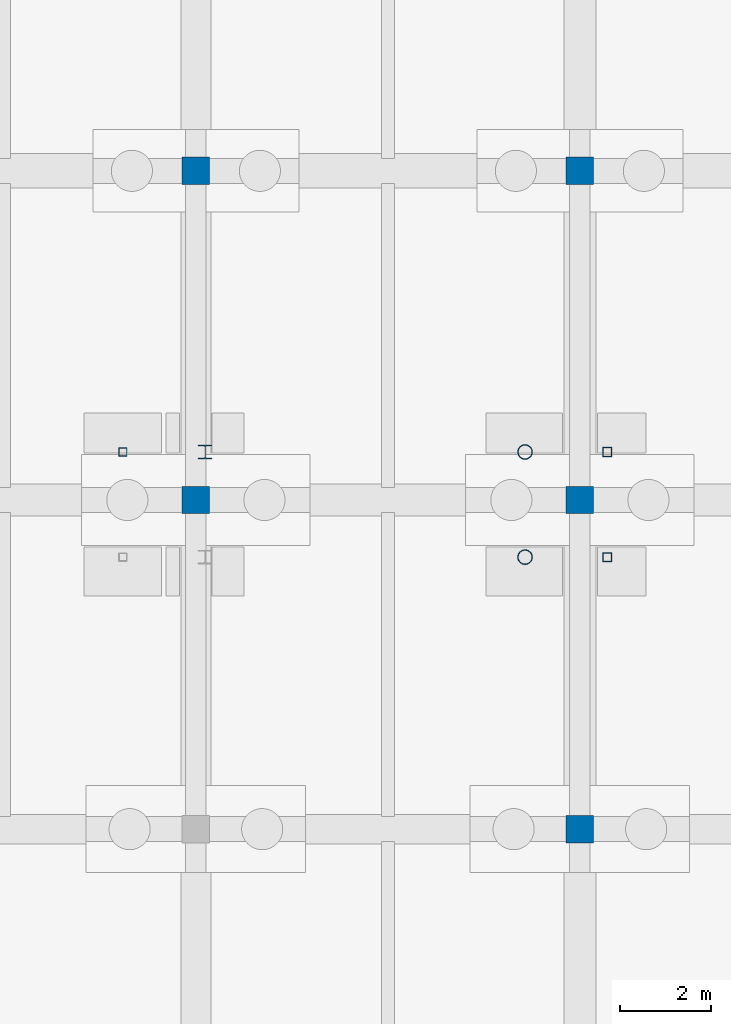
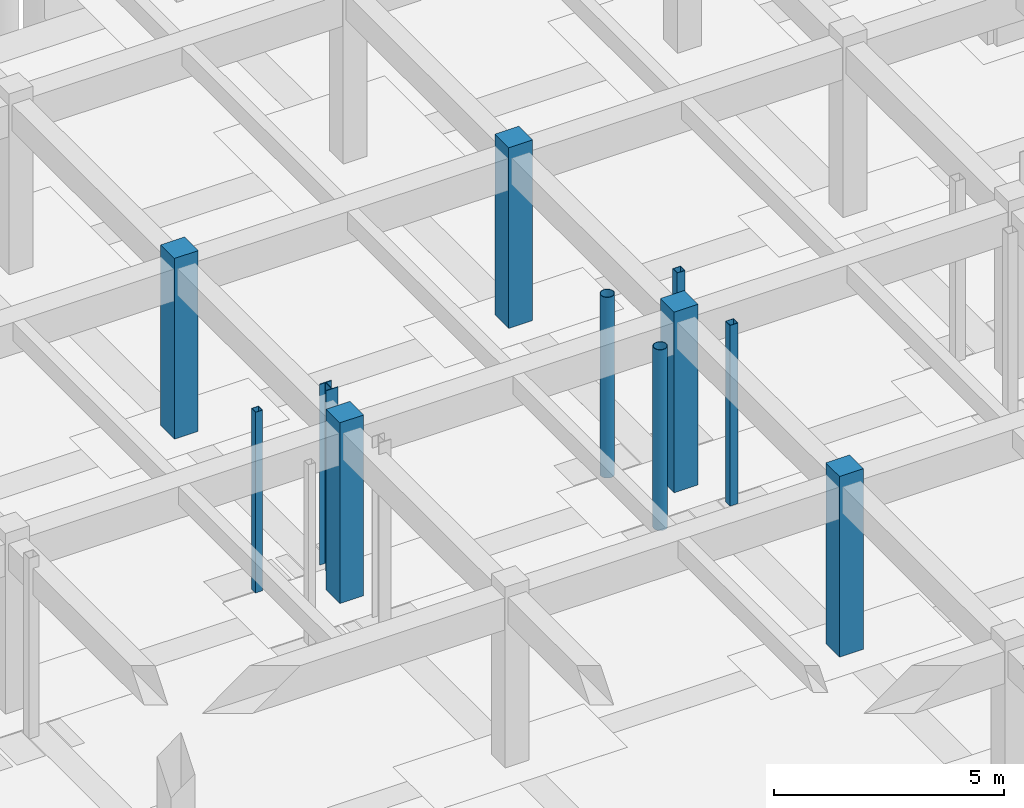
# One storey, part 28 of 80: 11 columns.
"""IFC4 building model written with IfcOpenShell, lengths in metres."""

from ifc_helpers import new_model, si_unit, direction, frame, origin, origin_2d, place, context, subcontext, project, spatial, rectangle, hollow_rectangle, hollow_circle, i_section, extrude, material, material_profile, profile_set, type_object, element, save


model = new_model("IFC4")

# Units and contexts
model_context = context("Model", 3, precision=1e-05, world=origin(), true_north=direction((0.0, 1.0)))
body_context = subcontext(model_context, "Body", "Model", "MODEL_VIEW")
ifc_project = project(units=[si_unit("LENGTHUNIT", "METRE"), si_unit("AREAUNIT", "SQUARE_METRE"), si_unit("VOLUMEUNIT", "CUBIC_METRE"), si_unit("PLANEANGLEUNIT", "RADIAN"), si_unit("MASSUNIT", "GRAM", prefix="KILO")], contexts=[model_context])

# Site, building, storey
site_placement = place(None, origin())
site = spatial("IfcSite", under=ifc_project, at=site_placement, CompositionType="ELEMENT")
building_placement = place(site_placement, origin())
building = spatial("IfcBuilding", under=site, at=building_placement, Name="Malvenik Polytechnic", CompositionType="ELEMENT")
storey_placement = place(building_placement, frame((0.0, 0.0, -4.800048828125)))
storey = spatial("IfcBuildingStorey", under=building, at=storey_placement, Name="B1", CompositionType="ELEMENT", Elevation=-4.800048828125)

# Columns
ifc_material_1 = material(Name="Concrete C35/45", Category="concrete")
ifc_material_profile_1 = material_profile(ifc_material_1, rectangle(XDim=0.60009765625, YDim=0.60009765625, at=origin_2d()), Name="RC COL 600x600")
ifc_profile_set_1 = profile_set([ifc_material_profile_1], Name="Concrete C35/45")
column_type_1 = type_object("IfcColumnType", Name="STR-COL-C-06", PredefinedType="COLUMN", material=ifc_profile_set_1)
for number, where, z_axis, x_axis, name in (
    (1, (50.39990234375, 72.0, 0.0), (0.0, 0.0, 1.0), (1.0, 0.0, 0.0), "Column C-06 B1 (50.4,72.0)"),
    (2, (50.39990234375, 79.199951171875, 0.0), (0.0, 0.0, 1.0), (1.0, 0.0, 0.0), "Column C-06 B1 (50.4,79.2)"),
    (3, (58.800048828125, 64.800048828125, 0.0), (0.0, 0.0, 1.0), (1.0, 0.0, 0.0), "Column C-06 B1 (58.8,64.8)"),
    (4, (58.800048828125, 72.0, 0.0), (0.0, 0.0, 1.0), (1.0, 0.0, 0.0), "Column C-06 B1 (58.8,72.0)"),
    (5, (58.800048828125, 79.199951171875, 0.0), (0.0, 0.0, 1.0), (1.0, 0.0, 0.0), "Column C-06 B1 (58.8,79.2)"),
):
    element("IfcColumn", number, at=place(storey_placement, frame(where, z_axis=z_axis, x_axis=x_axis)), inside=storey, type_object=column_type_1, Name=name, PredefinedType="COLUMN", context=body_context, shape_type="SweptSolid", body=[
        extrude(rectangle(XDim=0.60009765625, YDim=0.60009765625, at=origin_2d()), origin(), (0.0, 0.0, 1.0), 4.800048828125),
    ])
ifc_material_2 = material(Name="Steel S355J2H", Category="steel")
ifc_material_profile_2 = material_profile(ifc_material_2, hollow_rectangle(XDim=0.199951171875, YDim=0.199951171875, WallThickness=0.010009765625, at=origin_2d()), Name="SHS 200x200x10.0")
ifc_profile_set_2 = profile_set([ifc_material_profile_2], Name="Steel S355J2H")
column_type_2 = type_object("IfcColumnType", Name="STR-SCOL-SC-02", PredefinedType="COLUMN", material=ifc_profile_set_2)
for number, where, z_axis, x_axis, name in (
    (6, (59.39990234375, 70.75, 0.0), (0.0, 0.0, 1.0), (1.0, 0.0, 0.0), "Bridge-Ramp Support Column SC-02 B1"),
    (7, (59.39990234375, 73.050048828125, 0.0), (0.0, 0.0, 1.0), (1.0, 0.0, 0.0), "Bridge-Ramp Support Column SC-02 B1"),
):
    element("IfcColumn", number, at=place(storey_placement, frame(where, z_axis=z_axis, x_axis=x_axis)), inside=storey, type_object=column_type_2, Name=name, PredefinedType="COLUMN", context=body_context, shape_type="SweptSolid", body=[
        extrude(hollow_rectangle(XDim=0.199951171875, YDim=0.199951171875, WallThickness=0.010009765625, at=origin_2d()), origin(), (0.0, 0.0, 1.0), 4.800048828125),
    ])
ifc_material_profile_3 = material_profile(ifc_material_2, hollow_circle(Radius=0.161865234375, WallThickness=0.012451171875, at=origin_2d()), Name="CHS 323.9x12.5")
ifc_profile_set_3 = profile_set([ifc_material_profile_3], Name="Steel S355J2H")
column_type_3 = type_object("IfcColumnType", Name="STR-SCOL-SC-04", PredefinedType="COLUMN", material=ifc_profile_set_3)
for number, where, z_axis, x_axis, name in (
    (8, (57.60009765625, 70.75, 0.0), (0.0, 0.0, 1.0), (1.0, 0.0, 0.0), "Bridge-Ramp Support Column SC-04 B1"),
    (9, (57.60009765625, 73.050048828125, 0.0), (0.0, 0.0, 1.0), (1.0, 0.0, 0.0), "Bridge-Ramp Support Column SC-04 B1"),
):
    element("IfcColumn", number, at=place(storey_placement, frame(where, z_axis=z_axis, x_axis=x_axis)), inside=storey, type_object=column_type_3, Name=name, PredefinedType="COLUMN", context=body_context, shape_type="SweptSolid", body=[
        extrude(hollow_circle(Radius=0.161865234375, WallThickness=0.012451171875, at=origin_2d()), origin(), (0.0, 0.0, 1.0), 4.800048828125),
    ])
ifc_material_3 = material(Name="Steel S355", Category="steel")
ifc_material_profile_4 = material_profile(ifc_material_3, i_section(OverallWidth=0.300048828125, OverallDepth=0.300048828125, WebThickness=0.010986328125, FlangeThickness=0.01904296875, FilletRadius=0.027099609375, at=origin_2d()), Name="HEB 300")
ifc_profile_set_4 = profile_set([ifc_material_profile_4], Name="Steel S355")
column_type_4 = type_object("IfcColumnType", Name="STR-SCOL-SC-05", PredefinedType="COLUMN", material=ifc_profile_set_4)
column_1_placement = place(storey_placement, frame((50.60009765625, 73.050048828125, 0.0), z_axis=(0.0, 0.0, 1.0), x_axis=(1.0, 0.0, 0.0)))
element("IfcColumn", 10, at=column_1_placement, inside=storey, type_object=column_type_4, Name="Bridge-Ramp Support Column SC-05 B1", PredefinedType="COLUMN", context=body_context, shape_type="SweptSolid", body=[
    extrude(i_section(OverallWidth=0.300048828125, OverallDepth=0.300048828125, WebThickness=0.010986328125, FlangeThickness=0.01904296875, FilletRadius=0.027099609375, at=origin_2d()), origin(), (0.0, 0.0, 1.0), 4.800048828125),
])
ifc_material_profile_5 = material_profile(ifc_material_2, hollow_rectangle(XDim=0.179931640625, YDim=0.179931640625, WallThickness=0.008056640625, at=origin_2d()), Name="SHS 180x180x8.0")
ifc_profile_set_5 = profile_set([ifc_material_profile_5], Name="Steel S355J2H")
column_type_5 = type_object("IfcColumnType", Name="STR-SCOL-SC-06", PredefinedType="COLUMN", material=ifc_profile_set_5)
column_2_placement = place(storey_placement, frame((48.800048828125, 73.050048828125, 0.0), z_axis=(0.0, 0.0, 1.0), x_axis=(1.0, 0.0, 0.0)))
element("IfcColumn", 11, at=column_2_placement, inside=storey, type_object=column_type_5, Name="Bridge-Ramp Support Column SC-06 B1", PredefinedType="COLUMN", context=body_context, shape_type="SweptSolid", body=[
    extrude(hollow_rectangle(XDim=0.179931640625, YDim=0.179931640625, WallThickness=0.008056640625, at=origin_2d()), origin(), (0.0, 0.0, 1.0), 4.800048828125),
])

save(model, "model.ifc")
